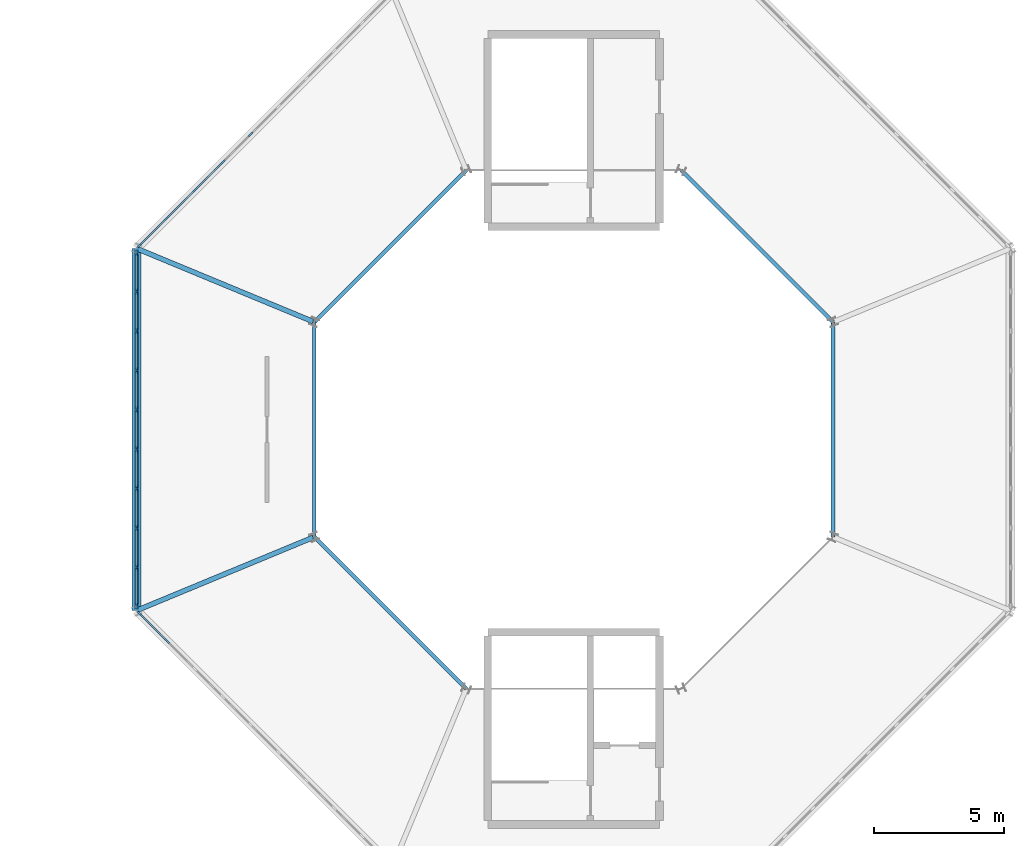
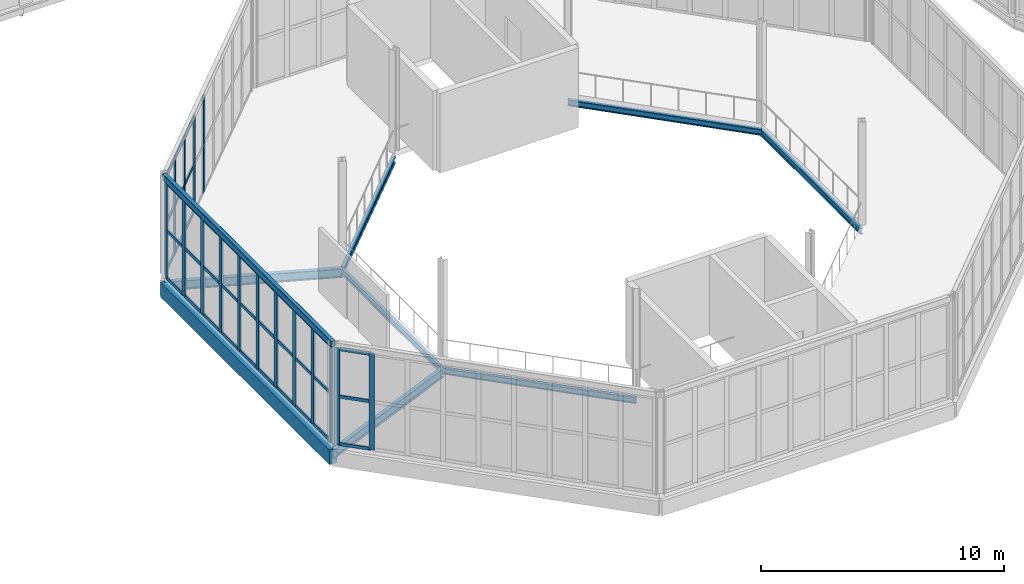
# One storey, part 48 of 161: 56 members, 9 beams, 3 elements without a shape of their own.
"""IFC4 building model written with IfcOpenShell, lengths in metres."""

from ifc_helpers import new_model, si_unit, direction, frame, origin, origin_2d, place, context, subcontext, project, spatial, rectangle, hollow_rectangle, i_section, extrude, material, material_profile, profile_set, type_object, element, aggregate, save


model = new_model("IFC4")

# Units and contexts
model_context = context("Model", 3, precision=1e-05, world=origin(), true_north=direction((0.0, 1.0)))
body_context = subcontext(model_context, "Body", "Model", "MODEL_VIEW")
ifc_project = project(units=[si_unit("LENGTHUNIT", "METRE"), si_unit("AREAUNIT", "SQUARE_METRE"), si_unit("VOLUMEUNIT", "CUBIC_METRE"), si_unit("PLANEANGLEUNIT", "RADIAN"), si_unit("MASSUNIT", "GRAM", prefix="KILO")], contexts=[model_context])

# Site, building, storey
site_placement = place(None, origin())
site = spatial("IfcSite", under=ifc_project, at=site_placement, CompositionType="ELEMENT")
building_placement = place(site_placement, origin())
building = spatial("IfcBuilding", under=site, at=building_placement, Name="Kildeholm Park Wholesale Market", CompositionType="ELEMENT")
storey_placement = place(building_placement, frame((0.0, 0.0, 5.39990234375)))
storey = spatial("IfcBuildingStorey", under=building, at=storey_placement, Name="L01", CompositionType="ELEMENT", Elevation=5.39990234375)

# Beams
ifc_material_1 = material(Name="Steel S355", Category="steel")
ifc_material_profile_1 = material_profile(ifc_material_1, i_section(OverallWidth=0.14990234375, OverallDepth=0.300048828125, WebThickness=0.007080078125, FlangeThickness=0.0107421875, FilletRadius=0.014892578125, at=origin_2d()), Name="IPE 300")
ifc_profile_set_1 = profile_set([ifc_material_profile_1], Name="Steel S355")
beam_type_1 = type_object("IfcBeamType", Name="Beam B-C01 IPE 300", PredefinedType="BEAM", material=ifc_profile_set_1)
for number, where, z_axis, x_axis, name in (
    (1, (30.97802734375, 76.133056640625, -0.423828125), (-0.707106781187, 0.707106781187, 0.0), (-0.707106781187, -0.707106781187, 0.0), "Beam BM-V3-L01-CI-00 BM-0478"),
    (2, (16.866943359375, 81.97802734375, -0.423828125), (-0.707106781187, -0.707106781187, 0.0), (0.707106781187, -0.707106781187, 0.0), "Beam BM-V3-L01-CI-02 BM-0488"),
    (3, (11.02197265625, 76.133056640625, -0.423828125), (0.0, -1.0, 0.0), (1.0, 0.0, 0.0), "Beam BM-V3-L01-CI-03 BM-0494"),
    (4, (11.02197265625, 67.866943359375, -0.423828125), (0.707106781187, -0.707106781187, 0.0), (0.707106781187, 0.707106781187, 0.0), "Beam BM-V3-L01-CI-04 BM-0500"),
    (5, (30.97802734375, 67.866943359375, -0.423828125), (0.0, 1.0, 0.0), (-1.0, 0.0, 0.0), "Beam BM-V3-L01-CI-07 BM-0515"),
):
    element("IfcBeam", number, at=place(storey_placement, frame(where, z_axis=z_axis, x_axis=x_axis)), inside=storey, type_object=beam_type_1, Name=name, PredefinedType="BEAM", context=body_context, shape_type="SweptSolid", body=[
        extrude(i_section(OverallWidth=0.14990234375, OverallDepth=0.300048828125, WebThickness=0.007080078125, FlangeThickness=0.0107421875, FilletRadius=0.014892578125, at=origin_2d()), origin(), (0.0, 0.0, 1.0), 8.26611328125),
    ])
ifc_material_profile_2 = material_profile(ifc_material_1, i_section(OverallWidth=0.18994140625, OverallDepth=0.449951171875, WebThickness=0.009521484375, FlangeThickness=0.0146484375, FilletRadius=0.02099609375, at=origin_2d()), Name="IPE 450")
ifc_profile_set_2 = profile_set([ifc_material_profile_2], Name="Steel S355")
beam_type_2 = type_object("IfcBeamType", Name="Beam B-P02 IPE 450", PredefinedType="BEAM", material=ifc_profile_set_2)
for number, where, z_axis, x_axis, name in (
    (6, (11.02197265625, 76.133056640625, -0.494873046875), (-0.923875293758, 0.382693665462, 0.0), (-0.382693665462, -0.923875293758, 0.0), "Beam BM-V3-L01-R-03 BM-0493"),
    (7, (11.02197265625, 67.866943359375, -0.494873046875), (-0.923875293758, -0.382693665462, 0.0), (0.382693665462, -0.923875293758, 0.0), "Beam BM-V3-L01-R-04 BM-0499"),
):
    element("IfcBeam", number, at=place(storey_placement, frame(where, z_axis=z_axis, x_axis=x_axis)), inside=storey, type_object=beam_type_2, Name=name, PredefinedType="BEAM", context=body_context, shape_type="SweptSolid", body=[
        extrude(i_section(OverallWidth=0.18994140625, OverallDepth=0.449951171875, WebThickness=0.009521484375, FlangeThickness=0.0146484375, FilletRadius=0.02099609375, at=origin_2d()), origin(), (0.0, 0.0, 1.0), 7.400146484375),
    ])
ifc_material_profile_3 = material_profile(ifc_material_1, hollow_rectangle(XDim=0.199951171875, YDim=0.300048828125, WallThickness=0.012451171875, InnerFilletRadius=0.012451171875, OuterFilletRadius=0.02490234375, at=origin_2d()), Name="RHS 300x200x12.5")
ifc_profile_set_3 = profile_set([ifc_material_profile_3], Name="Steel S355")
beam_type_3 = type_object("IfcBeamType", Name="Beam SP-01 RHS 300x200x12.5", PredefinedType="SPANDREL", material=ifc_profile_set_3)
beam_1_placement = place(storey_placement, frame((4.18505859375, 78.965087890625, 5.00927734375), z_axis=(0.0, -1.0, 0.0), x_axis=(1.0, 0.0, 0.0)))
element("IfcBeam", 8, at=beam_1_placement, inside=storey, type_object=beam_type_3, Name="Beam BM-V3-EAV-03 BM-0496", PredefinedType="SPANDREL", context=body_context, shape_type="SweptSolid", body=[
    extrude(hollow_rectangle(XDim=0.199951171875, YDim=0.300048828125, WallThickness=0.012451171875, InnerFilletRadius=0.012451171875, OuterFilletRadius=0.02490234375, at=origin_2d()), origin(), (0.0, 0.0, 1.0), 13.93017578125),
])
ifc_material_2 = material(Name="Precast concrete C40/50", Category="concrete")
ifc_material_profile_4 = material_profile(ifc_material_2, rectangle(XDim=0.35009765625, YDim=0.75, at=origin_2d()), Name="PC-SP 350x750")
ifc_profile_set_4 = profile_set([ifc_material_profile_4], Name="Precast concrete C40/50")
beam_type_4 = type_object("IfcBeamType", Name="Beam SP-03 PC-SP 350x750", PredefinedType="SPANDREL", material=ifc_profile_set_4)
beam_2_placement = place(storey_placement, frame((4.18505859375, 78.965087890625, -0.64501953125), z_axis=(0.0, -1.0, 0.0), x_axis=(1.0, 0.0, 0.0)))
element("IfcBeam", 9, at=beam_2_placement, inside=storey, type_object=beam_type_4, Name="Beam BM-V3-L01-CO-03 BM-0495", PredefinedType="SPANDREL", context=body_context, shape_type="SweptSolid", body=[
    extrude(rectangle(XDim=0.35009765625, YDim=0.75, at=origin_2d()), origin(), (0.0, 0.0, 1.0), 13.93017578125),
])

# Curtain wall, members
ifc_material_3 = material(Name="Anodised aluminium and low-E double-glazed glass", Category="aluminium")
curtain_wall_type = type_object("IfcCurtainWallType", Name="Clerestory daylight stick curtain wall CW-02", PredefinedType="NOTDEFINED", material=ifc_material_3)
curtain_wall_1_placement = place(storey_placement, origin())
curtain_wall_1 = element("IfcCurtainWall", 10, at=curtain_wall_1_placement, inside=storey, type_object=curtain_wall_type, Name="Curtain wall CW-V3-L01-02 CW-0137", PredefinedType="NOTDEFINED")
ifc_material_4 = material(Name="Anodised aluminium", Category="aluminium")
ifc_material_profile_5 = material_profile(ifc_material_4, rectangle(XDim=0.074951171875, YDim=0.219970703125, at=origin_2d()), Name="CWM 75x220")
ifc_profile_set_5 = profile_set([ifc_material_profile_5], Name="Anodised aluminium")
member_type_1 = type_object("IfcMemberType", Name="Curtain-wall mullion CWM-2 CWM 75x220", PredefinedType="MULLION", material=ifc_profile_set_5)
member_1_placement = place(storey_placement, frame((8.57373046875, 83.353759765625, 0.0), z_axis=(0.0, 0.0, 1.0), x_axis=(0.707106781187, -0.707106781187, 0.0)))
member_1 = element("IfcMember", 11, at=member_1_placement, type_object=member_type_1, Name="CW-02 mullion 6 MEM-4223", PredefinedType="MULLION", context=body_context, shape_type="SweptSolid", body=[
    extrude(rectangle(XDim=0.074951171875, YDim=0.219970703125, at=origin_2d()), origin(), (0.0, 0.0, 1.0), 4.85009765625),
])
member_2_placement = place(storey_placement, frame((7.501220703125, 82.28125, 0.0), z_axis=(0.0, 0.0, 1.0), x_axis=(0.707106781187, -0.707106781187, 0.0)))
member_2 = element("IfcMember", 12, at=member_2_placement, type_object=member_type_1, Name="CW-02 mullion 7 MEM-4224", PredefinedType="MULLION", context=body_context, shape_type="SweptSolid", body=[
    extrude(rectangle(XDim=0.074951171875, YDim=0.219970703125, at=origin_2d()), origin(), (0.0, 0.0, 1.0), 4.85009765625),
])
member_3_placement = place(storey_placement, frame((6.428955078125, 81.208984375, 0.0), z_axis=(0.0, 0.0, 1.0), x_axis=(0.707106781187, -0.707106781187, 0.0)))
member_3 = element("IfcMember", 13, at=member_3_placement, type_object=member_type_1, Name="CW-02 mullion 8 MEM-4225", PredefinedType="MULLION", context=body_context, shape_type="SweptSolid", body=[
    extrude(rectangle(XDim=0.074951171875, YDim=0.219970703125, at=origin_2d()), origin(), (0.0, 0.0, 1.0), 4.85009765625),
])
member_4_placement = place(storey_placement, frame((5.3564453125, 80.136474609375, 0.0), z_axis=(0.0, 0.0, 1.0), x_axis=(0.707106781187, -0.707106781187, 0.0)))
member_4 = element("IfcMember", 14, at=member_4_placement, type_object=member_type_1, Name="CW-02 mullion 9 MEM-4226", PredefinedType="MULLION", context=body_context, shape_type="SweptSolid", body=[
    extrude(rectangle(XDim=0.074951171875, YDim=0.219970703125, at=origin_2d()), origin(), (0.0, 0.0, 1.0), 4.85009765625),
])
member_5_placement = place(storey_placement, frame((4.310546875, 79.090576171875, 0.0), z_axis=(0.0, 0.0, 1.0), x_axis=(0.707106781187, -0.707106781187, 0.0)))
member_5 = element("IfcMember", 15, at=member_5_placement, type_object=member_type_1, Name="CW-02 mullion 10 MEM-4227", PredefinedType="MULLION", context=body_context, shape_type="SweptSolid", body=[
    extrude(rectangle(XDim=0.074951171875, YDim=0.219970703125, at=origin_2d()), origin(), (0.0, 0.0, 1.0), 4.85009765625),
])

curtain_wall_2_placement = place(storey_placement, origin())
curtain_wall_2 = element("IfcCurtainWall", 16, at=curtain_wall_2_placement, inside=storey, type_object=curtain_wall_type, Name="Curtain wall CW-V3-L01-03 CW-0138", PredefinedType="NOTDEFINED")
member_6_placement = place(storey_placement, frame((4.18505859375, 78.78759765625, 0.0), z_axis=(0.0, 0.0, 1.0), x_axis=(1.0, 0.0, 0.0)))
member_6 = element("IfcMember", 17, at=member_6_placement, type_object=member_type_1, Name="CW-02 mullion 1 MEM-4255", PredefinedType="MULLION", context=body_context, shape_type="SweptSolid", body=[
    extrude(rectangle(XDim=0.074951171875, YDim=0.219970703125, at=origin_2d()), origin(), (0.0, 0.0, 1.0), 4.85009765625),
])
member_7_placement = place(storey_placement, frame((4.18505859375, 77.308349609375, 0.0), z_axis=(0.0, 0.0, 1.0), x_axis=(1.0, 0.0, 0.0)))
member_7 = element("IfcMember", 18, at=member_7_placement, type_object=member_type_1, Name="CW-02 mullion 2 MEM-4256", PredefinedType="MULLION", context=body_context, shape_type="SweptSolid", body=[
    extrude(rectangle(XDim=0.074951171875, YDim=0.219970703125, at=origin_2d()), origin(), (0.0, 0.0, 1.0), 4.85009765625),
])
member_8_placement = place(storey_placement, frame((4.18505859375, 75.791748046875, 0.0), z_axis=(0.0, 0.0, 1.0), x_axis=(1.0, 0.0, 0.0)))
member_8 = element("IfcMember", 19, at=member_8_placement, type_object=member_type_1, Name="CW-02 mullion 3 MEM-4257", PredefinedType="MULLION", context=body_context, shape_type="SweptSolid", body=[
    extrude(rectangle(XDim=0.074951171875, YDim=0.219970703125, at=origin_2d()), origin(), (0.0, 0.0, 1.0), 4.85009765625),
])
member_9_placement = place(storey_placement, frame((4.18505859375, 74.27490234375, 0.0), z_axis=(0.0, 0.0, 1.0), x_axis=(1.0, 0.0, 0.0)))
member_9 = element("IfcMember", 20, at=member_9_placement, type_object=member_type_1, Name="CW-02 mullion 4 MEM-4258", PredefinedType="MULLION", context=body_context, shape_type="SweptSolid", body=[
    extrude(rectangle(XDim=0.074951171875, YDim=0.219970703125, at=origin_2d()), origin(), (0.0, 0.0, 1.0), 4.85009765625),
])
member_10_placement = place(storey_placement, frame((4.18505859375, 72.75830078125, 0.0), z_axis=(0.0, 0.0, 1.0), x_axis=(1.0, 0.0, 0.0)))
member_10 = element("IfcMember", 21, at=member_10_placement, type_object=member_type_1, Name="CW-02 mullion 5 MEM-4259", PredefinedType="MULLION", context=body_context, shape_type="SweptSolid", body=[
    extrude(rectangle(XDim=0.074951171875, YDim=0.219970703125, at=origin_2d()), origin(), (0.0, 0.0, 1.0), 4.85009765625),
])
member_11_placement = place(storey_placement, frame((4.18505859375, 71.24169921875, 0.0), z_axis=(0.0, 0.0, 1.0), x_axis=(1.0, 0.0, 0.0)))
member_11 = element("IfcMember", 22, at=member_11_placement, type_object=member_type_1, Name="CW-02 mullion 6 MEM-4260", PredefinedType="MULLION", context=body_context, shape_type="SweptSolid", body=[
    extrude(rectangle(XDim=0.074951171875, YDim=0.219970703125, at=origin_2d()), origin(), (0.0, 0.0, 1.0), 4.85009765625),
])
member_12_placement = place(storey_placement, frame((4.18505859375, 69.72509765625, 0.0), z_axis=(0.0, 0.0, 1.0), x_axis=(1.0, 0.0, 0.0)))
member_12 = element("IfcMember", 23, at=member_12_placement, type_object=member_type_1, Name="CW-02 mullion 7 MEM-4261", PredefinedType="MULLION", context=body_context, shape_type="SweptSolid", body=[
    extrude(rectangle(XDim=0.074951171875, YDim=0.219970703125, at=origin_2d()), origin(), (0.0, 0.0, 1.0), 4.85009765625),
])
member_13_placement = place(storey_placement, frame((4.18505859375, 68.208251953125, 0.0), z_axis=(0.0, 0.0, 1.0), x_axis=(1.0, 0.0, 0.0)))
member_13 = element("IfcMember", 24, at=member_13_placement, type_object=member_type_1, Name="CW-02 mullion 8 MEM-4262", PredefinedType="MULLION", context=body_context, shape_type="SweptSolid", body=[
    extrude(rectangle(XDim=0.074951171875, YDim=0.219970703125, at=origin_2d()), origin(), (0.0, 0.0, 1.0), 4.85009765625),
])
member_14_placement = place(storey_placement, frame((4.18505859375, 66.691650390625, 0.0), z_axis=(0.0, 0.0, 1.0), x_axis=(1.0, 0.0, 0.0)))
member_14 = element("IfcMember", 25, at=member_14_placement, type_object=member_type_1, Name="CW-02 mullion 9 MEM-4263", PredefinedType="MULLION", context=body_context, shape_type="SweptSolid", body=[
    extrude(rectangle(XDim=0.074951171875, YDim=0.219970703125, at=origin_2d()), origin(), (0.0, 0.0, 1.0), 4.85009765625),
])
member_15_placement = place(storey_placement, frame((4.18505859375, 65.21240234375, 0.0), z_axis=(0.0, 0.0, 1.0), x_axis=(1.0, 0.0, 0.0)))
member_15 = element("IfcMember", 26, at=member_15_placement, type_object=member_type_1, Name="CW-02 mullion 10 MEM-4264", PredefinedType="MULLION", context=body_context, shape_type="SweptSolid", body=[
    extrude(rectangle(XDim=0.074951171875, YDim=0.219970703125, at=origin_2d()), origin(), (0.0, 0.0, 1.0), 4.85009765625),
])

curtain_wall_3_placement = place(storey_placement, origin())
curtain_wall_3 = element("IfcCurtainWall", 27, at=curtain_wall_3_placement, inside=storey, type_object=curtain_wall_type, Name="Curtain wall CW-V3-L01-04 CW-0139", PredefinedType="NOTDEFINED")
member_16_placement = place(storey_placement, frame((4.310546875, 64.909423828125, 0.0), z_axis=(0.0, 0.0, 1.0), x_axis=(0.707106781187, 0.707106781187, 0.0)))
member_16 = element("IfcMember", 28, at=member_16_placement, type_object=member_type_1, Name="CW-02 mullion 1 MEM-4292", PredefinedType="MULLION", context=body_context, shape_type="SweptSolid", body=[
    extrude(rectangle(XDim=0.074951171875, YDim=0.219970703125, at=origin_2d()), origin(), (0.0, 0.0, 1.0), 4.85009765625),
])
member_17_placement = place(storey_placement, frame((5.3564453125, 63.863525390625, 0.0), z_axis=(0.0, 0.0, 1.0), x_axis=(0.707106781187, 0.707106781187, 0.0)))
member_17 = element("IfcMember", 29, at=member_17_placement, type_object=member_type_1, Name="CW-02 mullion 2 MEM-4293", PredefinedType="MULLION", context=body_context, shape_type="SweptSolid", body=[
    extrude(rectangle(XDim=0.074951171875, YDim=0.219970703125, at=origin_2d()), origin(), (0.0, 0.0, 1.0), 4.85009765625),
])

# Member
ifc_material_profile_6 = material_profile(ifc_material_4, rectangle(XDim=0.074951171875, YDim=0.159912109375, at=origin_2d()), Name="CWT 75x160")
ifc_profile_set_6 = profile_set([ifc_material_profile_6], Name="Anodised aluminium")
member_type_2 = type_object("IfcMemberType", Name="Curtain-wall transom CWT-2 CWT 75x160", PredefinedType="USERDEFINED", material=ifc_profile_set_6)
member_18_placement = place(storey_placement, frame((7.474853515625, 82.2548828125, 0.03759765625), z_axis=(-0.707106781187, -0.707106781187, 0.0), x_axis=(0.707106781187, -0.707106781187, 0.0)))
member_18 = element("IfcMember", 30, at=member_18_placement, type_object=member_type_2, Name="CW-02 transom 7.1 MEM-4246", ObjectType="TRANSOM", PredefinedType="USERDEFINED", context=body_context, shape_type="SweptSolid", body=[
    extrude(rectangle(XDim=0.074951171875, YDim=0.159912109375, at=origin_2d()), origin(), (0.0, 0.0, 1.0), 1.44189453125),
])

member_19_placement = place(storey_placement, frame((7.474853515625, 82.2548828125, 2.425048828125), z_axis=(-0.707106781187, -0.707106781187, 0.0), x_axis=(0.707106781187, -0.707106781187, 0.0)))
member_19 = element("IfcMember", 31, at=member_19_placement, type_object=member_type_2, Name="CW-02 transom 7.2 MEM-4247", ObjectType="TRANSOM", PredefinedType="USERDEFINED", context=body_context, shape_type="SweptSolid", body=[
    extrude(rectangle(XDim=0.074951171875, YDim=0.159912109375, at=origin_2d()), origin(), (0.0, 0.0, 1.0), 1.44189453125),
])

member_20_placement = place(storey_placement, frame((7.474853515625, 82.2548828125, 4.8125), z_axis=(-0.707106781187, -0.707106781187, 0.0), x_axis=(0.707106781187, -0.707106781187, 0.0)))
member_20 = element("IfcMember", 32, at=member_20_placement, type_object=member_type_2, Name="CW-02 transom 7.3 MEM-4248", ObjectType="TRANSOM", PredefinedType="USERDEFINED", context=body_context, shape_type="SweptSolid", body=[
    extrude(rectangle(XDim=0.074951171875, YDim=0.159912109375, at=origin_2d()), origin(), (0.0, 0.0, 1.0), 1.44189453125),
])

member_21_placement = place(storey_placement, frame((6.40234375, 81.182373046875, 0.03759765625), z_axis=(-0.707022102811, -0.707191449423, 0.0), x_axis=(0.707191449423, -0.707022102811, 0.0)))
member_21 = element("IfcMember", 33, at=member_21_placement, type_object=member_type_2, Name="CW-02 transom 8.1 MEM-4249", ObjectType="TRANSOM", PredefinedType="USERDEFINED", context=body_context, shape_type="SweptSolid", body=[
    extrude(rectangle(XDim=0.074951171875, YDim=0.159912109375, at=origin_2d()), origin(), (0.0, 0.0, 1.0), 1.441650390625),
])

member_22_placement = place(storey_placement, frame((6.40234375, 81.182373046875, 2.425048828125), z_axis=(-0.707022102811, -0.707191449423, 0.0), x_axis=(0.707191449423, -0.707022102811, 0.0)))
member_22 = element("IfcMember", 34, at=member_22_placement, type_object=member_type_2, Name="CW-02 transom 8.2 MEM-4250", ObjectType="TRANSOM", PredefinedType="USERDEFINED", context=body_context, shape_type="SweptSolid", body=[
    extrude(rectangle(XDim=0.074951171875, YDim=0.159912109375, at=origin_2d()), origin(), (0.0, 0.0, 1.0), 1.441650390625),
])

member_23_placement = place(storey_placement, frame((6.40234375, 81.182373046875, 4.8125), z_axis=(-0.707022102811, -0.707191449423, 0.0), x_axis=(0.707191449423, -0.707022102811, 0.0)))
member_23 = element("IfcMember", 35, at=member_23_placement, type_object=member_type_2, Name="CW-02 transom 8.3 MEM-4251", ObjectType="TRANSOM", PredefinedType="USERDEFINED", context=body_context, shape_type="SweptSolid", body=[
    extrude(rectangle(XDim=0.074951171875, YDim=0.159912109375, at=origin_2d()), origin(), (0.0, 0.0, 1.0), 1.441650390625),
])

member_24_placement = place(storey_placement, frame((5.329833984375, 80.10986328125, 0.03759765625), z_axis=(-0.707106781187, -0.707106781187, 0.0), x_axis=(0.707106781187, -0.707106781187, 0.0)))
member_24 = element("IfcMember", 36, at=member_24_placement, type_object=member_type_2, Name="CW-02 transom 9.1 MEM-4252", ObjectType="TRANSOM", PredefinedType="USERDEFINED", context=body_context, shape_type="SweptSolid", body=[
    extrude(rectangle(XDim=0.074951171875, YDim=0.159912109375, at=origin_2d()), origin(), (0.0, 0.0, 1.0), 1.404296875),
])

member_25_placement = place(storey_placement, frame((5.329833984375, 80.10986328125, 2.425048828125), z_axis=(-0.707106781187, -0.707106781187, 0.0), x_axis=(0.707106781187, -0.707106781187, 0.0)))
member_25 = element("IfcMember", 37, at=member_25_placement, type_object=member_type_2, Name="CW-02 transom 9.2 MEM-4253", ObjectType="TRANSOM", PredefinedType="USERDEFINED", context=body_context, shape_type="SweptSolid", body=[
    extrude(rectangle(XDim=0.074951171875, YDim=0.159912109375, at=origin_2d()), origin(), (0.0, 0.0, 1.0), 1.404296875),
])

member_26_placement = place(storey_placement, frame((5.329833984375, 80.10986328125, 4.8125), z_axis=(-0.707106781187, -0.707106781187, 0.0), x_axis=(0.707106781187, -0.707106781187, 0.0)))
member_26 = element("IfcMember", 38, at=member_26_placement, type_object=member_type_2, Name="CW-02 transom 9.3 MEM-4254", ObjectType="TRANSOM", PredefinedType="USERDEFINED", context=body_context, shape_type="SweptSolid", body=[
    extrude(rectangle(XDim=0.074951171875, YDim=0.159912109375, at=origin_2d()), origin(), (0.0, 0.0, 1.0), 1.404296875),
])

aggregate(curtain_wall_1, [member_1, member_2, member_3, member_4, member_5, member_18, member_19, member_20, member_21, member_22, member_23, member_24, member_25, member_26])

member_27_placement = place(storey_placement, frame((4.18505859375, 78.75, 0.03759765625), z_axis=(0.0, -1.0, 0.0), x_axis=(1.0, 0.0, 0.0)))
member_27 = element("IfcMember", 39, at=member_27_placement, type_object=member_type_2, Name="CW-02 transom 1.1 MEM-4265", ObjectType="TRANSOM", PredefinedType="USERDEFINED", context=body_context, shape_type="SweptSolid", body=[
    extrude(rectangle(XDim=0.074951171875, YDim=0.159912109375, at=origin_2d()), origin(), (0.0, 0.0, 1.0), 1.404052734375),
])

member_28_placement = place(storey_placement, frame((4.18505859375, 78.75, 2.425048828125), z_axis=(0.0, -1.0, 0.0), x_axis=(1.0, 0.0, 0.0)))
member_28 = element("IfcMember", 40, at=member_28_placement, type_object=member_type_2, Name="CW-02 transom 1.2 MEM-4266", ObjectType="TRANSOM", PredefinedType="USERDEFINED", context=body_context, shape_type="SweptSolid", body=[
    extrude(rectangle(XDim=0.074951171875, YDim=0.159912109375, at=origin_2d()), origin(), (0.0, 0.0, 1.0), 1.404052734375),
])

member_29_placement = place(storey_placement, frame((4.18505859375, 78.75, 4.8125), z_axis=(0.0, -1.0, 0.0), x_axis=(1.0, 0.0, 0.0)))
member_29 = element("IfcMember", 41, at=member_29_placement, type_object=member_type_2, Name="CW-02 transom 1.3 MEM-4267", ObjectType="TRANSOM", PredefinedType="USERDEFINED", context=body_context, shape_type="SweptSolid", body=[
    extrude(rectangle(XDim=0.074951171875, YDim=0.159912109375, at=origin_2d()), origin(), (0.0, 0.0, 1.0), 1.404052734375),
])

member_30_placement = place(storey_placement, frame((4.18505859375, 77.270751953125, 0.03759765625), z_axis=(0.0, -1.0, 0.0), x_axis=(1.0, 0.0, 0.0)))
member_30 = element("IfcMember", 42, at=member_30_placement, type_object=member_type_2, Name="CW-02 transom 2.1 MEM-4268", ObjectType="TRANSOM", PredefinedType="USERDEFINED", context=body_context, shape_type="SweptSolid", body=[
    extrude(rectangle(XDim=0.074951171875, YDim=0.159912109375, at=origin_2d()), origin(), (0.0, 0.0, 1.0), 1.441650390625),
])

member_31_placement = place(storey_placement, frame((4.18505859375, 77.270751953125, 2.425048828125), z_axis=(0.0, -1.0, 0.0), x_axis=(1.0, 0.0, 0.0)))
member_31 = element("IfcMember", 43, at=member_31_placement, type_object=member_type_2, Name="CW-02 transom 2.2 MEM-4269", ObjectType="TRANSOM", PredefinedType="USERDEFINED", context=body_context, shape_type="SweptSolid", body=[
    extrude(rectangle(XDim=0.074951171875, YDim=0.159912109375, at=origin_2d()), origin(), (0.0, 0.0, 1.0), 1.441650390625),
])

member_32_placement = place(storey_placement, frame((4.18505859375, 77.270751953125, 4.8125), z_axis=(0.0, -1.0, 0.0), x_axis=(1.0, 0.0, 0.0)))
member_32 = element("IfcMember", 44, at=member_32_placement, type_object=member_type_2, Name="CW-02 transom 2.3 MEM-4270", ObjectType="TRANSOM", PredefinedType="USERDEFINED", context=body_context, shape_type="SweptSolid", body=[
    extrude(rectangle(XDim=0.074951171875, YDim=0.159912109375, at=origin_2d()), origin(), (0.0, 0.0, 1.0), 1.441650390625),
])

member_33_placement = place(storey_placement, frame((4.18505859375, 75.754150390625, 0.03759765625), z_axis=(0.0, -1.0, 0.0), x_axis=(1.0, 0.0, 0.0)))
member_33 = element("IfcMember", 45, at=member_33_placement, type_object=member_type_2, Name="CW-02 transom 3.1 MEM-4271", ObjectType="TRANSOM", PredefinedType="USERDEFINED", context=body_context, shape_type="SweptSolid", body=[
    extrude(rectangle(XDim=0.074951171875, YDim=0.159912109375, at=origin_2d()), origin(), (0.0, 0.0, 1.0), 1.441650390625),
])

member_34_placement = place(storey_placement, frame((4.18505859375, 75.754150390625, 2.425048828125), z_axis=(0.0, -1.0, 0.0), x_axis=(1.0, 0.0, 0.0)))
member_34 = element("IfcMember", 46, at=member_34_placement, type_object=member_type_2, Name="CW-02 transom 3.2 MEM-4272", ObjectType="TRANSOM", PredefinedType="USERDEFINED", context=body_context, shape_type="SweptSolid", body=[
    extrude(rectangle(XDim=0.074951171875, YDim=0.159912109375, at=origin_2d()), origin(), (0.0, 0.0, 1.0), 1.441650390625),
])

member_35_placement = place(storey_placement, frame((4.18505859375, 75.754150390625, 4.8125), z_axis=(0.0, -1.0, 0.0), x_axis=(1.0, 0.0, 0.0)))
member_35 = element("IfcMember", 47, at=member_35_placement, type_object=member_type_2, Name="CW-02 transom 3.3 MEM-4273", ObjectType="TRANSOM", PredefinedType="USERDEFINED", context=body_context, shape_type="SweptSolid", body=[
    extrude(rectangle(XDim=0.074951171875, YDim=0.159912109375, at=origin_2d()), origin(), (0.0, 0.0, 1.0), 1.441650390625),
])

member_36_placement = place(storey_placement, frame((4.18505859375, 74.237548828125, 0.03759765625), z_axis=(0.0, -1.0, 0.0), x_axis=(1.0, 0.0, 0.0)))
member_36 = element("IfcMember", 48, at=member_36_placement, type_object=member_type_2, Name="CW-02 transom 4.1 MEM-4274", ObjectType="TRANSOM", PredefinedType="USERDEFINED", context=body_context, shape_type="SweptSolid", body=[
    extrude(rectangle(XDim=0.074951171875, YDim=0.159912109375, at=origin_2d()), origin(), (0.0, 0.0, 1.0), 1.441650390625),
])

member_37_placement = place(storey_placement, frame((4.18505859375, 74.237548828125, 2.425048828125), z_axis=(0.0, -1.0, 0.0), x_axis=(1.0, 0.0, 0.0)))
member_37 = element("IfcMember", 49, at=member_37_placement, type_object=member_type_2, Name="CW-02 transom 4.2 MEM-4275", ObjectType="TRANSOM", PredefinedType="USERDEFINED", context=body_context, shape_type="SweptSolid", body=[
    extrude(rectangle(XDim=0.074951171875, YDim=0.159912109375, at=origin_2d()), origin(), (0.0, 0.0, 1.0), 1.441650390625),
])

member_38_placement = place(storey_placement, frame((4.18505859375, 74.237548828125, 4.8125), z_axis=(0.0, -1.0, 0.0), x_axis=(1.0, 0.0, 0.0)))
member_38 = element("IfcMember", 50, at=member_38_placement, type_object=member_type_2, Name="CW-02 transom 4.3 MEM-4276", ObjectType="TRANSOM", PredefinedType="USERDEFINED", context=body_context, shape_type="SweptSolid", body=[
    extrude(rectangle(XDim=0.074951171875, YDim=0.159912109375, at=origin_2d()), origin(), (0.0, 0.0, 1.0), 1.441650390625),
])

member_39_placement = place(storey_placement, frame((4.18505859375, 72.720947265625, 0.03759765625), z_axis=(0.0, -1.0, 0.0), x_axis=(1.0, 0.0, 0.0)))
member_39 = element("IfcMember", 51, at=member_39_placement, type_object=member_type_2, Name="CW-02 transom 5.1 MEM-4277", ObjectType="TRANSOM", PredefinedType="USERDEFINED", context=body_context, shape_type="SweptSolid", body=[
    extrude(rectangle(XDim=0.074951171875, YDim=0.159912109375, at=origin_2d()), origin(), (0.0, 0.0, 1.0), 1.44189453125),
])

member_40_placement = place(storey_placement, frame((4.18505859375, 72.720947265625, 2.425048828125), z_axis=(0.0, -1.0, 0.0), x_axis=(1.0, 0.0, 0.0)))
member_40 = element("IfcMember", 52, at=member_40_placement, type_object=member_type_2, Name="CW-02 transom 5.2 MEM-4278", ObjectType="TRANSOM", PredefinedType="USERDEFINED", context=body_context, shape_type="SweptSolid", body=[
    extrude(rectangle(XDim=0.074951171875, YDim=0.159912109375, at=origin_2d()), origin(), (0.0, 0.0, 1.0), 1.44189453125),
])

member_41_placement = place(storey_placement, frame((4.18505859375, 72.720947265625, 4.8125), z_axis=(0.0, -1.0, 0.0), x_axis=(1.0, 0.0, 0.0)))
member_41 = element("IfcMember", 53, at=member_41_placement, type_object=member_type_2, Name="CW-02 transom 5.3 MEM-4279", ObjectType="TRANSOM", PredefinedType="USERDEFINED", context=body_context, shape_type="SweptSolid", body=[
    extrude(rectangle(XDim=0.074951171875, YDim=0.159912109375, at=origin_2d()), origin(), (0.0, 0.0, 1.0), 1.44189453125),
])

member_42_placement = place(storey_placement, frame((4.18505859375, 71.2041015625, 0.03759765625), z_axis=(0.0, -1.0, 0.0), x_axis=(1.0, 0.0, 0.0)))
member_42 = element("IfcMember", 54, at=member_42_placement, type_object=member_type_2, Name="CW-02 transom 6.1 MEM-4280", ObjectType="TRANSOM", PredefinedType="USERDEFINED", context=body_context, shape_type="SweptSolid", body=[
    extrude(rectangle(XDim=0.074951171875, YDim=0.159912109375, at=origin_2d()), origin(), (0.0, 0.0, 1.0), 1.441650390625),
])

member_43_placement = place(storey_placement, frame((4.18505859375, 71.2041015625, 2.425048828125), z_axis=(0.0, -1.0, 0.0), x_axis=(1.0, 0.0, 0.0)))
member_43 = element("IfcMember", 55, at=member_43_placement, type_object=member_type_2, Name="CW-02 transom 6.2 MEM-4281", ObjectType="TRANSOM", PredefinedType="USERDEFINED", context=body_context, shape_type="SweptSolid", body=[
    extrude(rectangle(XDim=0.074951171875, YDim=0.159912109375, at=origin_2d()), origin(), (0.0, 0.0, 1.0), 1.441650390625),
])

member_44_placement = place(storey_placement, frame((4.18505859375, 71.2041015625, 4.8125), z_axis=(0.0, -1.0, 0.0), x_axis=(1.0, 0.0, 0.0)))
member_44 = element("IfcMember", 56, at=member_44_placement, type_object=member_type_2, Name="CW-02 transom 6.3 MEM-4282", ObjectType="TRANSOM", PredefinedType="USERDEFINED", context=body_context, shape_type="SweptSolid", body=[
    extrude(rectangle(XDim=0.074951171875, YDim=0.159912109375, at=origin_2d()), origin(), (0.0, 0.0, 1.0), 1.441650390625),
])

member_45_placement = place(storey_placement, frame((4.18505859375, 69.6875, 0.03759765625), z_axis=(0.0, -1.0, 0.0), x_axis=(1.0, 0.0, 0.0)))
member_45 = element("IfcMember", 57, at=member_45_placement, type_object=member_type_2, Name="CW-02 transom 7.1 MEM-4283", ObjectType="TRANSOM", PredefinedType="USERDEFINED", context=body_context, shape_type="SweptSolid", body=[
    extrude(rectangle(XDim=0.074951171875, YDim=0.159912109375, at=origin_2d()), origin(), (0.0, 0.0, 1.0), 1.441650390625),
])

member_46_placement = place(storey_placement, frame((4.18505859375, 69.6875, 2.425048828125), z_axis=(0.0, -1.0, 0.0), x_axis=(1.0, 0.0, 0.0)))
member_46 = element("IfcMember", 58, at=member_46_placement, type_object=member_type_2, Name="CW-02 transom 7.2 MEM-4284", ObjectType="TRANSOM", PredefinedType="USERDEFINED", context=body_context, shape_type="SweptSolid", body=[
    extrude(rectangle(XDim=0.074951171875, YDim=0.159912109375, at=origin_2d()), origin(), (0.0, 0.0, 1.0), 1.441650390625),
])

member_47_placement = place(storey_placement, frame((4.18505859375, 69.6875, 4.8125), z_axis=(0.0, -1.0, 0.0), x_axis=(1.0, 0.0, 0.0)))
member_47 = element("IfcMember", 59, at=member_47_placement, type_object=member_type_2, Name="CW-02 transom 7.3 MEM-4285", ObjectType="TRANSOM", PredefinedType="USERDEFINED", context=body_context, shape_type="SweptSolid", body=[
    extrude(rectangle(XDim=0.074951171875, YDim=0.159912109375, at=origin_2d()), origin(), (0.0, 0.0, 1.0), 1.441650390625),
])

member_48_placement = place(storey_placement, frame((4.18505859375, 68.1708984375, 0.03759765625), z_axis=(0.0, -1.0, 0.0), x_axis=(1.0, 0.0, 0.0)))
member_48 = element("IfcMember", 60, at=member_48_placement, type_object=member_type_2, Name="CW-02 transom 8.1 MEM-4286", ObjectType="TRANSOM", PredefinedType="USERDEFINED", context=body_context, shape_type="SweptSolid", body=[
    extrude(rectangle(XDim=0.074951171875, YDim=0.159912109375, at=origin_2d()), origin(), (0.0, 0.0, 1.0), 1.441650390625),
])

member_49_placement = place(storey_placement, frame((4.18505859375, 68.1708984375, 2.425048828125), z_axis=(0.0, -1.0, 0.0), x_axis=(1.0, 0.0, 0.0)))
member_49 = element("IfcMember", 61, at=member_49_placement, type_object=member_type_2, Name="CW-02 transom 8.2 MEM-4287", ObjectType="TRANSOM", PredefinedType="USERDEFINED", context=body_context, shape_type="SweptSolid", body=[
    extrude(rectangle(XDim=0.074951171875, YDim=0.159912109375, at=origin_2d()), origin(), (0.0, 0.0, 1.0), 1.441650390625),
])

member_50_placement = place(storey_placement, frame((4.18505859375, 68.1708984375, 4.8125), z_axis=(0.0, -1.0, 0.0), x_axis=(1.0, 0.0, 0.0)))
member_50 = element("IfcMember", 62, at=member_50_placement, type_object=member_type_2, Name="CW-02 transom 8.3 MEM-4288", ObjectType="TRANSOM", PredefinedType="USERDEFINED", context=body_context, shape_type="SweptSolid", body=[
    extrude(rectangle(XDim=0.074951171875, YDim=0.159912109375, at=origin_2d()), origin(), (0.0, 0.0, 1.0), 1.441650390625),
])

member_51_placement = place(storey_placement, frame((4.18505859375, 66.654052734375, 0.03759765625), z_axis=(0.0, -1.0, 0.0), x_axis=(1.0, 0.0, 0.0)))
member_51 = element("IfcMember", 63, at=member_51_placement, type_object=member_type_2, Name="CW-02 transom 9.1 MEM-4289", ObjectType="TRANSOM", PredefinedType="USERDEFINED", context=body_context, shape_type="SweptSolid", body=[
    extrude(rectangle(XDim=0.074951171875, YDim=0.159912109375, at=origin_2d()), origin(), (0.0, 0.0, 1.0), 1.404052734375),
])

member_52_placement = place(storey_placement, frame((4.18505859375, 66.654052734375, 2.425048828125), z_axis=(0.0, -1.0, 0.0), x_axis=(1.0, 0.0, 0.0)))
member_52 = element("IfcMember", 64, at=member_52_placement, type_object=member_type_2, Name="CW-02 transom 9.2 MEM-4290", ObjectType="TRANSOM", PredefinedType="USERDEFINED", context=body_context, shape_type="SweptSolid", body=[
    extrude(rectangle(XDim=0.074951171875, YDim=0.159912109375, at=origin_2d()), origin(), (0.0, 0.0, 1.0), 1.404052734375),
])

member_53_placement = place(storey_placement, frame((4.18505859375, 66.654052734375, 4.8125), z_axis=(0.0, -1.0, 0.0), x_axis=(1.0, 0.0, 0.0)))
member_53 = element("IfcMember", 65, at=member_53_placement, type_object=member_type_2, Name="CW-02 transom 9.3 MEM-4291", ObjectType="TRANSOM", PredefinedType="USERDEFINED", context=body_context, shape_type="SweptSolid", body=[
    extrude(rectangle(XDim=0.074951171875, YDim=0.159912109375, at=origin_2d()), origin(), (0.0, 0.0, 1.0), 1.404052734375),
])

aggregate(curtain_wall_2, [member_6, member_7, member_8, member_9, member_10, member_11, member_12, member_13, member_14, member_15, member_27, member_28, member_29, member_30, member_31, member_32, member_33, member_34, member_35, member_36, member_37, member_38, member_39, member_40, member_41, member_42, member_43, member_44, member_45, member_46, member_47, member_48, member_49, member_50, member_51, member_52, member_53])

member_54_placement = place(storey_placement, frame((4.3369140625, 64.883056640625, 0.03759765625), z_axis=(0.707106781187, -0.707106781187, 0.0), x_axis=(0.707106781187, 0.707106781187, 0.0)))
member_54 = element("IfcMember", 66, at=member_54_placement, type_object=member_type_2, Name="CW-02 transom 1.1 MEM-4302", ObjectType="TRANSOM", PredefinedType="USERDEFINED", context=body_context, shape_type="SweptSolid", body=[
    extrude(rectangle(XDim=0.074951171875, YDim=0.159912109375, at=origin_2d()), origin(), (0.0, 0.0, 1.0), 1.404296875),
])

member_55_placement = place(storey_placement, frame((4.3369140625, 64.883056640625, 2.425048828125), z_axis=(0.707106781187, -0.707106781187, 0.0), x_axis=(0.707106781187, 0.707106781187, 0.0)))
member_55 = element("IfcMember", 67, at=member_55_placement, type_object=member_type_2, Name="CW-02 transom 1.2 MEM-4303", ObjectType="TRANSOM", PredefinedType="USERDEFINED", context=body_context, shape_type="SweptSolid", body=[
    extrude(rectangle(XDim=0.074951171875, YDim=0.159912109375, at=origin_2d()), origin(), (0.0, 0.0, 1.0), 1.404296875),
])

member_56_placement = place(storey_placement, frame((4.3369140625, 64.883056640625, 4.8125), z_axis=(0.707106781187, -0.707106781187, 0.0), x_axis=(0.707106781187, 0.707106781187, 0.0)))
member_56 = element("IfcMember", 68, at=member_56_placement, type_object=member_type_2, Name="CW-02 transom 1.3 MEM-4304", ObjectType="TRANSOM", PredefinedType="USERDEFINED", context=body_context, shape_type="SweptSolid", body=[
    extrude(rectangle(XDim=0.074951171875, YDim=0.159912109375, at=origin_2d()), origin(), (0.0, 0.0, 1.0), 1.404296875),
])

aggregate(curtain_wall_3, [member_16, member_17, member_54, member_55, member_56])

save(model, "model.ifc")
